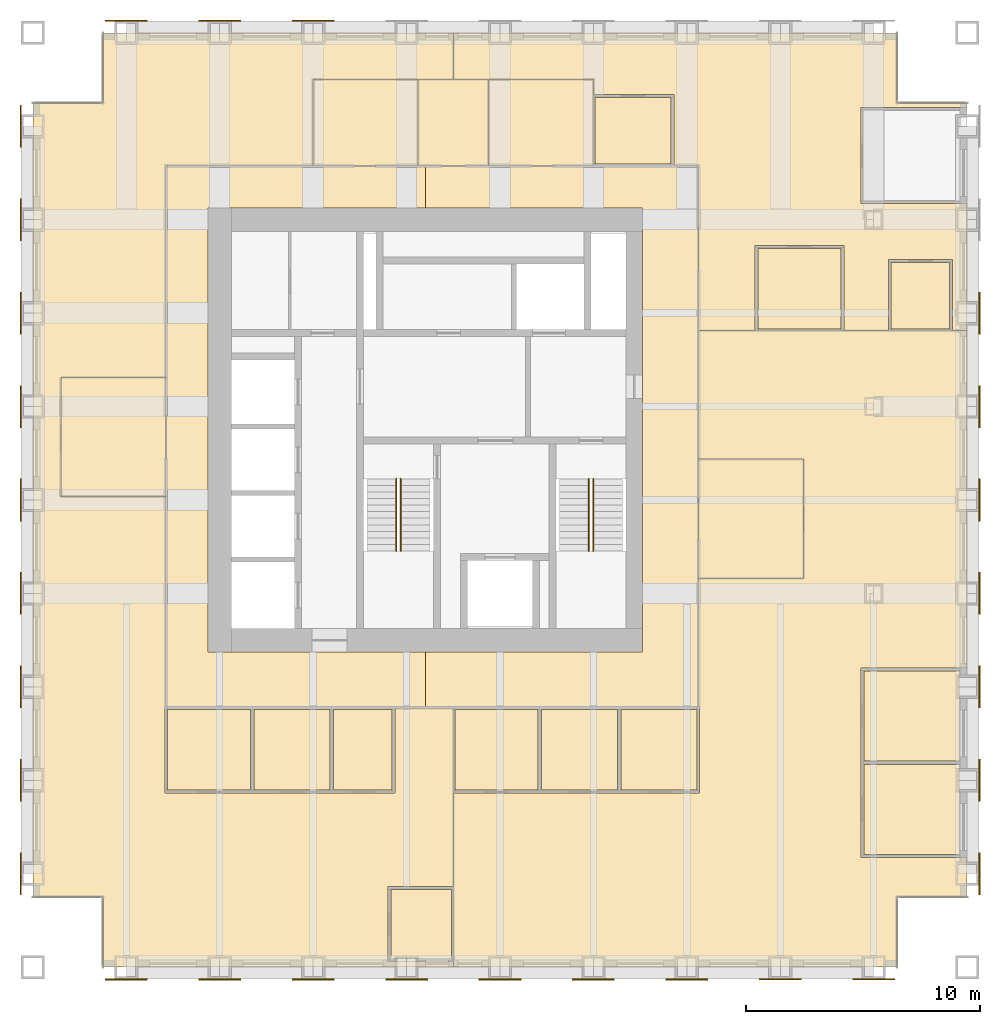
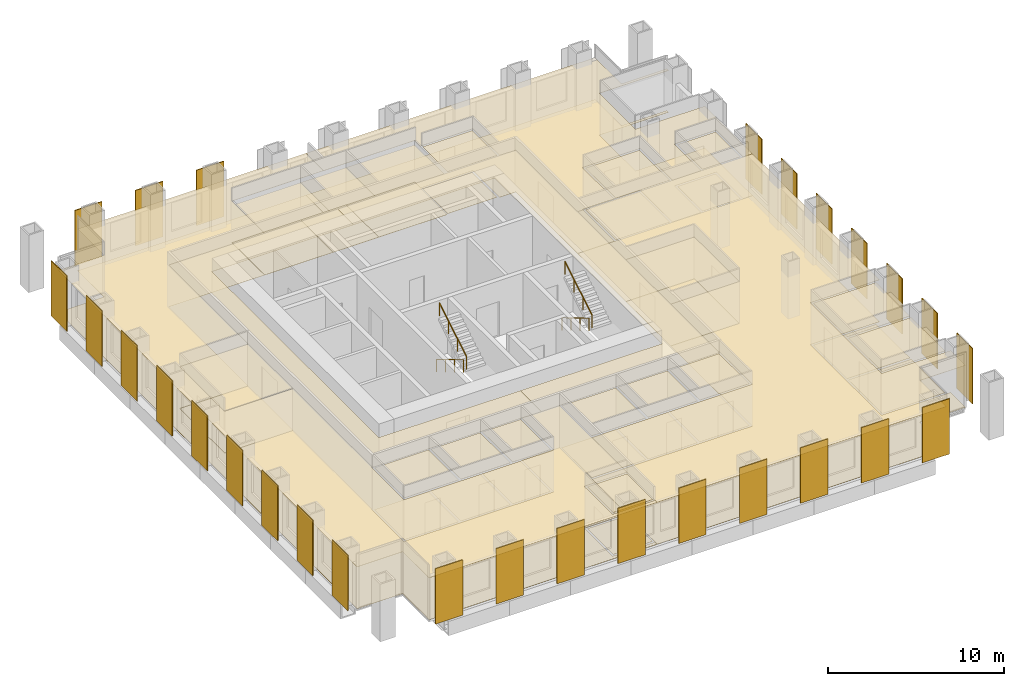
# One storey, part 12 of 13: 42 coverings, 28 shading devices, 4 railings.
"""IFC4 building model written with IfcOpenShell, lengths in metres."""

from ifc_helpers import new_model, si_unit, direction, frame, origin, origin_2d, place, context, subcontext, project, spatial, polyline, rectangle, circle, outline, extrude, material, layer, layer_set, type_object, element, save


model = new_model("IFC4")

# Units and contexts
model_context = context("Model", 3, precision=1e-05, world=origin(), true_north=direction((0.0, 1.0)))
body_context = subcontext(model_context, "Body", "Model", "MODEL_VIEW")
ifc_project = project(units=[si_unit("LENGTHUNIT", "METRE"), si_unit("AREAUNIT", "SQUARE_METRE"), si_unit("VOLUMEUNIT", "CUBIC_METRE"), si_unit("PLANEANGLEUNIT", "RADIAN"), si_unit("MASSUNIT", "GRAM", prefix="KILO")], contexts=[model_context])

# Site, building, storey
site_placement = place(None, origin())
site = spatial("IfcSite", under=ifc_project, at=site_placement, CompositionType="ELEMENT")
building_placement = place(site_placement, origin())
building = spatial("IfcBuilding", under=site, at=building_placement, Name="Rimbunsela Tower", CompositionType="ELEMENT")
storey_placement = place(building_placement, frame((0.0, 0.0, 258.199951171875)))
storey = spatial("IfcBuildingStorey", under=building, at=storey_placement, Name="L62", CompositionType="ELEMENT", Elevation=258.199951171875)

# Coverings
ifc_material_1 = material(Name="Nylon carpet tile", Category="textile")
ifc_layer_1 = layer(ifc_material_1, 0.010009765625)
ifc_layer_set_1 = layer_set([ifc_layer_1], Name="Carpet tile 10")
covering_type_1 = type_object("IfcCoveringType", Name="Carpet tile 10", PredefinedType="FLOORING", material=ifc_layer_set_1)
covering_1_placement = place(storey_placement, origin())
element("IfcCovering", 1, at=covering_1_placement, inside=storey, type_object=covering_type_1, Name="Floor finish Open office", PredefinedType="FLOORING", context=body_context, shape_type="SweptSolid", body=[
    extrude(outline(polyline([(19.449951171875, 11.449951171875), (22.75, 11.449951171875), (22.85009765625, 11.449951171875), (25.5, 11.449951171875), (25.5, 15.10009765625), (27.9990234375, 15.10009765625), (27.9990234375, 7.449951171875), (25.199951171875, 7.449951171875), (25.199951171875, 4.25), (27.9990234375, 4.25), (27.9990234375, 4.0), (15.699951171875, 4.0), (13.0, 4.0), (13.0, 7.0), (10.0, 7.0), (10.0, 41.0), (13.0, 41.0), (13.0, 44.0), (15.699951171875, 44.0), (27.9990234375, 44.0), (27.9990234375, 42.0), (22.0, 42.0), (22.0, 38.300048828125), (15.699951171875, 38.300048828125), (15.699951171875, 29.25), (11.199951171875, 29.25), (11.199951171875, 24.14990234375), (15.699951171875, 24.14990234375), (15.699951171875, 15.14990234375), (15.64990234375, 15.14990234375), (15.64990234375, 11.449951171875), (15.699951171875, 11.449951171875), (19.35009765625, 11.449951171875), (19.449951171875, 11.449951171875)])), origin(), (0.0, 0.0, 1.0), 0.010009765625),
])
covering_2_placement = place(storey_placement, origin())
element("IfcCovering", 2, at=covering_2_placement, inside=storey, type_object=covering_type_1, Name="Floor finish Open office", PredefinedType="FLOORING", context=body_context, shape_type="SweptSolid", body=[
    extrude(outline(polyline([(28.0009765625, 11.449951171875), (31.65087890625, 11.449951171875), (31.7509765625, 11.449951171875), (35.051025390625, 11.449951171875), (35.15087890625, 11.449951171875), (38.5, 11.449951171875), (38.550048828125, 11.449951171875), (38.550048828125, 15.14990234375), (38.5, 15.14990234375), (38.5, 20.64990234375), (43.0, 20.64990234375), (43.0, 25.75), (38.5, 25.75), (38.5, 31.2490234375), (50.0, 31.2490234375), (50.0, 16.800048828125), (45.449951171875, 16.800048828125), (45.449951171875, 12.800048828125), (45.449951171875, 12.699951171875), (45.449951171875, 8.699951171875), (50.0, 8.699951171875), (50.0, 7.0), (47.0, 7.0), (47.0, 4.0), (38.5, 4.0), (28.0009765625, 4.0), (28.0009765625, 11.449951171875)])), origin(), (0.0, 0.0, 1.0), 0.010009765625),
])
covering_3_placement = place(storey_placement, origin())
element("IfcCovering", 3, at=covering_3_placement, inside=storey, type_object=covering_type_1, Name="Floor finish Open office", PredefinedType="FLOORING", context=body_context, shape_type="SweptSolid", body=[
    extrude(outline(polyline([(50.0, 40.800048828125), (45.449951171875, 40.800048828125), (45.449951171875, 36.699951171875), (50.0, 36.699951171875), (50.0, 31.2509765625), (49.375, 31.2509765625), (49.375, 34.300048828125), (46.625, 34.300048828125), (46.625, 31.2509765625), (44.72509765625, 31.2509765625), (44.72509765625, 34.89990234375), (40.925048828125, 34.89990234375), (40.925048828125, 31.2509765625), (38.5, 31.2509765625), (38.5, 38.300048828125), (37.449951171875, 38.300048828125), (37.449951171875, 41.35009765625), (34.0, 41.35009765625), (34.0, 42.0), (28.0009765625, 42.0), (28.0009765625, 44.0), (38.5, 44.0), (47.0, 44.0), (47.0, 41.0), (50.0, 41.0), (50.0, 40.800048828125)])), origin(), (0.0, 0.0, 1.0), 0.010009765625),
])
covering_4_placement = place(storey_placement, origin())
element("IfcCovering", 4, at=covering_4_placement, inside=storey, type_object=covering_type_1, Name="Floor finish Reception", PredefinedType="FLOORING", context=body_context, shape_type="SweptSolid", body=[
    extrude(outline(polyline([(15.699951171875, 24.14990234375), (15.699951171875, 29.25), (11.199951171875, 29.25), (11.199951171875, 24.14990234375), (15.699951171875, 24.14990234375)])), origin(), (0.0, 0.0, 1.0), 0.010009765625),
])
covering_5_placement = place(storey_placement, origin())
element("IfcCovering", 5, at=covering_5_placement, inside=storey, type_object=covering_type_1, Name="Floor finish Reception", PredefinedType="FLOORING", context=body_context, shape_type="SweptSolid", body=[
    extrude(outline(polyline([(43.0, 20.64990234375), (43.0, 25.75), (38.5, 25.75), (38.5, 20.64990234375), (43.0, 20.64990234375)])), origin(), (0.0, 0.0, 1.0), 0.010009765625),
])
covering_6_placement = place(storey_placement, origin())
element("IfcCovering", 6, at=covering_6_placement, inside=storey, type_object=covering_type_1, Name="Floor finish Executive office", PredefinedType="FLOORING", context=body_context, shape_type="SweptSolid", body=[
    extrude(outline(polyline([(49.699951171875, 8.824951171875), (49.699951171875, 12.675048828125), (45.574951171875, 12.675048828125), (45.574951171875, 8.824951171875), (49.699951171875, 8.824951171875)])), origin(), (0.0, 0.0, 1.0), 0.010009765625),
])
covering_7_placement = place(storey_placement, origin())
element("IfcCovering", 7, at=covering_7_placement, inside=storey, type_object=covering_type_1, Name="Floor finish Executive office", PredefinedType="FLOORING", context=body_context, shape_type="SweptSolid", body=[
    extrude(outline(polyline([(49.699951171875, 12.824951171875), (49.699951171875, 16.675048828125), (45.574951171875, 16.675048828125), (45.574951171875, 12.824951171875), (49.699951171875, 12.824951171875)])), origin(), (0.0, 0.0, 1.0), 0.010009765625),
])
covering_8_placement = place(storey_placement, origin())
element("IfcCovering", 8, at=covering_8_placement, inside=storey, type_object=covering_type_1, Name="Floor finish Meeting room", PredefinedType="FLOORING", context=body_context, shape_type="SweptSolid", body=[
    extrude(outline(polyline([(19.324951171875, 11.574951171875), (19.324951171875, 15.02490234375), (15.77490234375, 15.02490234375), (15.77490234375, 11.574951171875), (19.324951171875, 11.574951171875)])), origin(), (0.0, 0.0, 1.0), 0.010009765625),
])
covering_9_placement = place(storey_placement, origin())
element("IfcCovering", 9, at=covering_9_placement, inside=storey, type_object=covering_type_1, Name="Floor finish Pantry", PredefinedType="FLOORING", context=body_context, shape_type="SweptSolid", body=[
    extrude(outline(polyline([(22.72509765625, 11.574951171875), (22.72509765625, 15.02490234375), (19.47509765625, 15.02490234375), (19.47509765625, 11.574951171875), (22.72509765625, 11.574951171875)])), origin(), (0.0, 0.0, 1.0), 0.010009765625),
])
covering_10_placement = place(storey_placement, origin())
element("IfcCovering", 10, at=covering_10_placement, inside=storey, type_object=covering_type_1, Name="Floor finish Print and copy room", PredefinedType="FLOORING", context=body_context, shape_type="SweptSolid", body=[
    extrude(outline(polyline([(25.375, 11.574951171875), (25.375, 15.02490234375), (22.875, 15.02490234375), (22.875, 11.574951171875), (25.375, 11.574951171875)])), origin(), (0.0, 0.0, 1.0), 0.010009765625),
])
covering_11_placement = place(storey_placement, origin())
element("IfcCovering", 11, at=covering_11_placement, inside=storey, type_object=covering_type_1, Name="Floor finish Meeting room", PredefinedType="FLOORING", context=body_context, shape_type="SweptSolid", body=[
    extrude(outline(polyline([(31.6259765625, 11.574951171875), (31.6259765625, 15.02490234375), (28.075927734375, 15.02490234375), (28.075927734375, 11.574951171875), (31.6259765625, 11.574951171875)])), origin(), (0.0, 0.0, 1.0), 0.010009765625),
])
covering_12_placement = place(storey_placement, origin())
element("IfcCovering", 12, at=covering_12_placement, inside=storey, type_object=covering_type_1, Name="Floor finish Pantry", PredefinedType="FLOORING", context=body_context, shape_type="SweptSolid", body=[
    extrude(outline(polyline([(35.02587890625, 11.574951171875), (35.02587890625, 15.02490234375), (31.77587890625, 15.02490234375), (31.77587890625, 11.574951171875), (35.02587890625, 11.574951171875)])), origin(), (0.0, 0.0, 1.0), 0.010009765625),
])
covering_13_placement = place(storey_placement, origin())
element("IfcCovering", 13, at=covering_13_placement, inside=storey, type_object=covering_type_1, Name="Floor finish Print and copy room", PredefinedType="FLOORING", context=body_context, shape_type="SweptSolid", body=[
    extrude(outline(polyline([(38.425048828125, 11.574951171875), (38.425048828125, 15.02490234375), (35.176025390625, 15.02490234375), (35.176025390625, 11.574951171875), (38.425048828125, 11.574951171875)])), origin(), (0.0, 0.0, 1.0), 0.010009765625),
])
covering_14_placement = place(storey_placement, origin())
element("IfcCovering", 14, at=covering_14_placement, inside=storey, type_object=covering_type_1, Name="Floor finish Office", PredefinedType="FLOORING", context=body_context, shape_type="SweptSolid", body=[
    extrude(outline(polyline([(27.925048828125, 4.375), (27.925048828125, 7.324951171875), (25.324951171875, 7.324951171875), (25.324951171875, 4.375), (27.925048828125, 4.375)])), origin(), (0.0, 0.0, 1.0), 0.010009765625),
])
covering_15_placement = place(storey_placement, origin())
element("IfcCovering", 15, at=covering_15_placement, inside=storey, type_object=covering_type_1, Name="Floor finish Meeting room", PredefinedType="FLOORING", context=body_context, shape_type="SweptSolid", body=[
    extrude(outline(polyline([(44.60009765625, 31.324951171875), (44.60009765625, 34.77490234375), (41.050048828125, 34.77490234375), (41.050048828125, 31.324951171875), (44.60009765625, 31.324951171875)])), origin(), (0.0, 0.0, 1.0), 0.010009765625),
])
covering_16_placement = place(storey_placement, origin())
element("IfcCovering", 16, at=covering_16_placement, inside=storey, type_object=covering_type_1, Name="Floor finish Pantry", PredefinedType="FLOORING", context=body_context, shape_type="SweptSolid", body=[
    extrude(outline(polyline([(37.324951171875, 38.375), (37.324951171875, 41.22509765625), (34.074951171875, 41.22509765625), (34.074951171875, 38.375), (37.324951171875, 38.375)])), origin(), (0.0, 0.0, 1.0), 0.010009765625),
])
covering_17_placement = place(storey_placement, origin())
element("IfcCovering", 17, at=covering_17_placement, inside=storey, type_object=covering_type_1, Name="Floor finish Print and copy room", PredefinedType="FLOORING", context=body_context, shape_type="SweptSolid", body=[
    extrude(outline(polyline([(49.25, 31.324951171875), (49.25, 34.175048828125), (46.75, 34.175048828125), (46.75, 31.324951171875), (49.25, 31.324951171875)])), origin(), (0.0, 0.0, 1.0), 0.010009765625),
])
ifc_material_2 = material(Name="Mineral fibre ceiling tile", Category="gypsum")
ifc_layer_2 = layer(ifc_material_2, 0.02001953125)
ifc_layer_set_2 = layer_set([ifc_layer_2], Name="Ceiling 600 grid")
covering_type_2 = type_object("IfcCoveringType", Name="Ceiling 600 grid", PredefinedType="CEILING", material=ifc_layer_set_2)
covering_18_placement = place(storey_placement, frame((0.0, 0.0, 2.900146484375)))
element("IfcCovering", 18, at=covering_18_placement, inside=storey, type_object=covering_type_2, Name="Ceiling Ring corridor", PredefinedType="CEILING", context=body_context, shape_type="SweptSolid", body=[
    extrude(outline(polyline([(15.699951171875, 38.300048828125), (26.800048828125, 38.300048828125), (26.800048828125, 36.5), (17.5, 36.5), (17.5, 17.5), (26.800048828125, 17.5), (26.800048828125, 15.10009765625), (15.699951171875, 15.10009765625), (15.699951171875, 38.300048828125)])), origin(), (0.0, 0.0, 1.0), 0.02001953125),
])
covering_19_placement = place(storey_placement, frame((0.0, 0.0, 2.900146484375)))
element("IfcCovering", 19, at=covering_19_placement, inside=storey, type_object=covering_type_2, Name="Ceiling Ring corridor", PredefinedType="CEILING", context=body_context, shape_type="SweptSolid", body=[
    extrude(outline(polyline([(38.5, 38.300048828125), (38.5, 15.10009765625), (26.800048828125, 15.10009765625), (26.800048828125, 17.5), (36.10009765625, 17.5), (36.10009765625, 36.5), (26.800048828125, 36.5), (26.800048828125, 38.300048828125), (38.5, 38.300048828125)])), origin(), (0.0, 0.0, 1.0), 0.02001953125),
])
covering_20_placement = place(storey_placement, frame((0.0, 0.0, 2.900146484375)))
element("IfcCovering", 20, at=covering_20_placement, inside=storey, type_object=covering_type_2, Name="Ceiling Open office", PredefinedType="CEILING", context=body_context, shape_type="SweptSolid", body=[
    extrude(outline(polyline([(19.449951171875, 11.449951171875), (22.75, 11.449951171875), (22.85009765625, 11.449951171875), (25.5, 11.449951171875), (25.5, 15.10009765625), (27.9990234375, 15.10009765625), (27.9990234375, 7.449951171875), (25.199951171875, 7.449951171875), (25.199951171875, 4.25), (27.9990234375, 4.25), (27.9990234375, 4.0), (15.699951171875, 4.0), (13.0, 4.0), (13.0, 7.0), (10.0, 7.0), (10.0, 41.0), (13.0, 41.0), (13.0, 44.0), (15.699951171875, 44.0), (27.9990234375, 44.0), (27.9990234375, 42.0), (22.0, 42.0), (22.0, 38.300048828125), (15.699951171875, 38.300048828125), (15.699951171875, 29.25), (11.199951171875, 29.25), (11.199951171875, 24.14990234375), (15.699951171875, 24.14990234375), (15.699951171875, 15.14990234375), (15.64990234375, 15.14990234375), (15.64990234375, 11.449951171875), (15.699951171875, 11.449951171875), (19.35009765625, 11.449951171875), (19.449951171875, 11.449951171875)])), origin(), (0.0, 0.0, 1.0), 0.02001953125),
])
covering_21_placement = place(storey_placement, frame((0.0, 0.0, 2.900146484375)))
element("IfcCovering", 21, at=covering_21_placement, inside=storey, type_object=covering_type_2, Name="Ceiling Open office", PredefinedType="CEILING", context=body_context, shape_type="SweptSolid", body=[
    extrude(outline(polyline([(28.0009765625, 11.449951171875), (31.65087890625, 11.449951171875), (31.7509765625, 11.449951171875), (35.051025390625, 11.449951171875), (35.15087890625, 11.449951171875), (38.5, 11.449951171875), (38.550048828125, 11.449951171875), (38.550048828125, 15.14990234375), (38.5, 15.14990234375), (38.5, 20.64990234375), (43.0, 20.64990234375), (43.0, 25.75), (38.5, 25.75), (38.5, 31.2490234375), (50.0, 31.2490234375), (50.0, 16.800048828125), (45.449951171875, 16.800048828125), (45.449951171875, 12.800048828125), (45.449951171875, 12.699951171875), (45.449951171875, 8.699951171875), (50.0, 8.699951171875), (50.0, 7.0), (47.0, 7.0), (47.0, 4.0), (38.5, 4.0), (28.0009765625, 4.0), (28.0009765625, 11.449951171875)])), origin(), (0.0, 0.0, 1.0), 0.02001953125),
])
covering_22_placement = place(storey_placement, frame((0.0, 0.0, 2.900146484375)))
element("IfcCovering", 22, at=covering_22_placement, inside=storey, type_object=covering_type_2, Name="Ceiling Open office", PredefinedType="CEILING", context=body_context, shape_type="SweptSolid", body=[
    extrude(outline(polyline([(50.0, 40.800048828125), (45.449951171875, 40.800048828125), (45.449951171875, 36.699951171875), (50.0, 36.699951171875), (50.0, 31.2509765625), (49.375, 31.2509765625), (49.375, 34.300048828125), (46.625, 34.300048828125), (46.625, 31.2509765625), (44.72509765625, 31.2509765625), (44.72509765625, 34.89990234375), (40.925048828125, 34.89990234375), (40.925048828125, 31.2509765625), (38.5, 31.2509765625), (38.5, 38.300048828125), (37.449951171875, 38.300048828125), (37.449951171875, 41.35009765625), (34.0, 41.35009765625), (34.0, 42.0), (28.0009765625, 42.0), (28.0009765625, 44.0), (38.5, 44.0), (47.0, 44.0), (47.0, 41.0), (50.0, 41.0), (50.0, 40.800048828125)])), origin(), (0.0, 0.0, 1.0), 0.02001953125),
])
covering_23_placement = place(storey_placement, frame((0.0, 0.0, 2.900146484375)))
element("IfcCovering", 23, at=covering_23_placement, inside=storey, type_object=covering_type_2, Name="Ceiling Reception", PredefinedType="CEILING", context=body_context, shape_type="SweptSolid", body=[
    extrude(outline(polyline([(15.699951171875, 24.14990234375), (15.699951171875, 29.25), (11.199951171875, 29.25), (11.199951171875, 24.14990234375), (15.699951171875, 24.14990234375)])), origin(), (0.0, 0.0, 1.0), 0.02001953125),
])
covering_24_placement = place(storey_placement, frame((0.0, 0.0, 2.900146484375)))
element("IfcCovering", 24, at=covering_24_placement, inside=storey, type_object=covering_type_2, Name="Ceiling Reception", PredefinedType="CEILING", context=body_context, shape_type="SweptSolid", body=[
    extrude(outline(polyline([(43.0, 20.64990234375), (43.0, 25.75), (38.5, 25.75), (38.5, 20.64990234375), (43.0, 20.64990234375)])), origin(), (0.0, 0.0, 1.0), 0.02001953125),
])
covering_25_placement = place(storey_placement, frame((0.0, 0.0, 2.900146484375)))
element("IfcCovering", 25, at=covering_25_placement, inside=storey, type_object=covering_type_2, Name="Ceiling Executive office", PredefinedType="CEILING", context=body_context, shape_type="SweptSolid", body=[
    extrude(outline(polyline([(49.699951171875, 8.824951171875), (49.699951171875, 12.675048828125), (45.574951171875, 12.675048828125), (45.574951171875, 8.824951171875), (49.699951171875, 8.824951171875)])), origin(), (0.0, 0.0, 1.0), 0.02001953125),
])
covering_26_placement = place(storey_placement, frame((0.0, 0.0, 2.900146484375)))
element("IfcCovering", 26, at=covering_26_placement, inside=storey, type_object=covering_type_2, Name="Ceiling Executive office", PredefinedType="CEILING", context=body_context, shape_type="SweptSolid", body=[
    extrude(outline(polyline([(49.699951171875, 12.824951171875), (49.699951171875, 16.675048828125), (45.574951171875, 16.675048828125), (45.574951171875, 12.824951171875), (49.699951171875, 12.824951171875)])), origin(), (0.0, 0.0, 1.0), 0.02001953125),
])
covering_27_placement = place(storey_placement, frame((0.0, 0.0, 2.900146484375)))
element("IfcCovering", 27, at=covering_27_placement, inside=storey, type_object=covering_type_2, Name="Ceiling Meeting room", PredefinedType="CEILING", context=body_context, shape_type="SweptSolid", body=[
    extrude(outline(polyline([(19.324951171875, 11.574951171875), (19.324951171875, 15.02490234375), (15.77490234375, 15.02490234375), (15.77490234375, 11.574951171875), (19.324951171875, 11.574951171875)])), origin(), (0.0, 0.0, 1.0), 0.02001953125),
])
covering_28_placement = place(storey_placement, frame((0.0, 0.0, 2.900146484375)))
element("IfcCovering", 28, at=covering_28_placement, inside=storey, type_object=covering_type_2, Name="Ceiling Pantry", PredefinedType="CEILING", context=body_context, shape_type="SweptSolid", body=[
    extrude(outline(polyline([(22.72509765625, 11.574951171875), (22.72509765625, 15.02490234375), (19.47509765625, 15.02490234375), (19.47509765625, 11.574951171875), (22.72509765625, 11.574951171875)])), origin(), (0.0, 0.0, 1.0), 0.02001953125),
])
covering_29_placement = place(storey_placement, frame((0.0, 0.0, 2.900146484375)))
element("IfcCovering", 29, at=covering_29_placement, inside=storey, type_object=covering_type_2, Name="Ceiling Print and copy room", PredefinedType="CEILING", context=body_context, shape_type="SweptSolid", body=[
    extrude(outline(polyline([(25.375, 11.574951171875), (25.375, 15.02490234375), (22.875, 15.02490234375), (22.875, 11.574951171875), (25.375, 11.574951171875)])), origin(), (0.0, 0.0, 1.0), 0.02001953125),
])
covering_30_placement = place(storey_placement, frame((0.0, 0.0, 2.900146484375)))
element("IfcCovering", 30, at=covering_30_placement, inside=storey, type_object=covering_type_2, Name="Ceiling Meeting room", PredefinedType="CEILING", context=body_context, shape_type="SweptSolid", body=[
    extrude(outline(polyline([(31.6259765625, 11.574951171875), (31.6259765625, 15.02490234375), (28.075927734375, 15.02490234375), (28.075927734375, 11.574951171875), (31.6259765625, 11.574951171875)])), origin(), (0.0, 0.0, 1.0), 0.02001953125),
])
covering_31_placement = place(storey_placement, frame((0.0, 0.0, 2.900146484375)))
element("IfcCovering", 31, at=covering_31_placement, inside=storey, type_object=covering_type_2, Name="Ceiling Pantry", PredefinedType="CEILING", context=body_context, shape_type="SweptSolid", body=[
    extrude(outline(polyline([(35.02587890625, 11.574951171875), (35.02587890625, 15.02490234375), (31.77587890625, 15.02490234375), (31.77587890625, 11.574951171875), (35.02587890625, 11.574951171875)])), origin(), (0.0, 0.0, 1.0), 0.02001953125),
])
covering_32_placement = place(storey_placement, frame((0.0, 0.0, 2.900146484375)))
element("IfcCovering", 32, at=covering_32_placement, inside=storey, type_object=covering_type_2, Name="Ceiling Print and copy room", PredefinedType="CEILING", context=body_context, shape_type="SweptSolid", body=[
    extrude(outline(polyline([(38.425048828125, 11.574951171875), (38.425048828125, 15.02490234375), (35.176025390625, 15.02490234375), (35.176025390625, 11.574951171875), (38.425048828125, 11.574951171875)])), origin(), (0.0, 0.0, 1.0), 0.02001953125),
])
covering_33_placement = place(storey_placement, frame((0.0, 0.0, 2.900146484375)))
element("IfcCovering", 33, at=covering_33_placement, inside=storey, type_object=covering_type_2, Name="Ceiling Office", PredefinedType="CEILING", context=body_context, shape_type="SweptSolid", body=[
    extrude(outline(polyline([(27.925048828125, 4.375), (27.925048828125, 7.324951171875), (25.324951171875, 7.324951171875), (25.324951171875, 4.375), (27.925048828125, 4.375)])), origin(), (0.0, 0.0, 1.0), 0.02001953125),
])
covering_34_placement = place(storey_placement, frame((0.0, 0.0, 2.900146484375)))
element("IfcCovering", 34, at=covering_34_placement, inside=storey, type_object=covering_type_2, Name="Ceiling Meeting room", PredefinedType="CEILING", context=body_context, shape_type="SweptSolid", body=[
    extrude(outline(polyline([(44.60009765625, 31.324951171875), (44.60009765625, 34.77490234375), (41.050048828125, 34.77490234375), (41.050048828125, 31.324951171875), (44.60009765625, 31.324951171875)])), origin(), (0.0, 0.0, 1.0), 0.02001953125),
])
covering_35_placement = place(storey_placement, frame((0.0, 0.0, 2.900146484375)))
element("IfcCovering", 35, at=covering_35_placement, inside=storey, type_object=covering_type_2, Name="Ceiling Pantry", PredefinedType="CEILING", context=body_context, shape_type="SweptSolid", body=[
    extrude(outline(polyline([(37.324951171875, 38.375), (37.324951171875, 41.22509765625), (34.074951171875, 41.22509765625), (34.074951171875, 38.375), (37.324951171875, 38.375)])), origin(), (0.0, 0.0, 1.0), 0.02001953125),
])
covering_36_placement = place(storey_placement, frame((0.0, 0.0, 2.900146484375)))
element("IfcCovering", 36, at=covering_36_placement, inside=storey, type_object=covering_type_2, Name="Ceiling Print and copy room", PredefinedType="CEILING", context=body_context, shape_type="SweptSolid", body=[
    extrude(outline(polyline([(49.25, 31.324951171875), (49.25, 34.175048828125), (46.75, 34.175048828125), (46.75, 31.324951171875), (49.25, 31.324951171875)])), origin(), (0.0, 0.0, 1.0), 0.02001953125),
])
ifc_material_3 = material(Name="Moisture-resistant plasterboard ceiling", Category="gypsum")
ifc_layer_3 = layer(ifc_material_3, 0.012451171875)
ifc_layer_set_3 = layer_set([ifc_layer_3], Name="Ceiling moisture-resistant board")
covering_type_3 = type_object("IfcCoveringType", Name="Ceiling moisture-resistant board", PredefinedType="CEILING", material=ifc_layer_set_3)
covering_37_placement = place(storey_placement, frame((0.0, 0.0, 2.60009765625)))
element("IfcCovering", 37, at=covering_37_placement, inside=storey, type_object=covering_type_3, Name="Ceiling Female WC", PredefinedType="CEILING", context=body_context, shape_type="SweptSolid", body=[
    extrude(outline(polyline([(26.5, 38.300048828125), (26.5, 42.0), (22.0, 42.0), (22.0, 38.300048828125), (26.5, 38.300048828125)])), origin(), (0.0, 0.0, 1.0), 0.02001953125),
])
covering_38_placement = place(storey_placement, frame((0.0, 0.0, 2.60009765625)))
element("IfcCovering", 38, at=covering_38_placement, inside=storey, type_object=covering_type_3, Name="Ceiling Accessible WC", PredefinedType="CEILING", context=body_context, shape_type="SweptSolid", body=[
    extrude(outline(polyline([(29.5, 38.300048828125), (29.5, 42.0), (26.5, 42.0), (26.5, 38.300048828125), (29.5, 38.300048828125)])), origin(), (0.0, 0.0, 1.0), 0.02001953125),
])
covering_39_placement = place(storey_placement, frame((0.0, 0.0, 2.60009765625)))
element("IfcCovering", 39, at=covering_39_placement, inside=storey, type_object=covering_type_3, Name="Ceiling Male WC", PredefinedType="CEILING", context=body_context, shape_type="SweptSolid", body=[
    extrude(outline(polyline([(34.0, 38.300048828125), (34.0, 42.0), (29.5, 42.0), (29.5, 38.300048828125), (34.0, 38.300048828125)])), origin(), (0.0, 0.0, 1.0), 0.02001953125),
])
ifc_material_4 = material(Name="Porcelain floor tile in adhesive bed", Category="ceramic")
ifc_layer_4 = layer(ifc_material_4, 0.02001953125)
ifc_layer_set_4 = layer_set([ifc_layer_4], Name="Porcelain tile 20")
covering_type_4 = type_object("IfcCoveringType", Name="Porcelain tile 20", PredefinedType="FLOORING", material=ifc_layer_set_4)
covering_40_placement = place(storey_placement, origin())
element("IfcCovering", 40, at=covering_40_placement, inside=storey, type_object=covering_type_4, Name="Floor finish Female WC", PredefinedType="FLOORING", context=body_context, shape_type="SweptSolid", body=[
    extrude(outline(polyline([(26.5, 38.300048828125), (26.5, 42.0), (22.0, 42.0), (22.0, 38.300048828125), (26.5, 38.300048828125)])), origin(), (0.0, 0.0, 1.0), 0.02001953125),
])
covering_41_placement = place(storey_placement, origin())
element("IfcCovering", 41, at=covering_41_placement, inside=storey, type_object=covering_type_4, Name="Floor finish Accessible WC", PredefinedType="FLOORING", context=body_context, shape_type="SweptSolid", body=[
    extrude(outline(polyline([(29.5, 38.300048828125), (29.5, 42.0), (26.5, 42.0), (26.5, 38.300048828125), (29.5, 38.300048828125)])), origin(), (0.0, 0.0, 1.0), 0.02001953125),
])
covering_42_placement = place(storey_placement, origin())
element("IfcCovering", 42, at=covering_42_placement, inside=storey, type_object=covering_type_4, Name="Floor finish Male WC", PredefinedType="FLOORING", context=body_context, shape_type="SweptSolid", body=[
    extrude(outline(polyline([(34.0, 38.300048828125), (34.0, 42.0), (29.5, 42.0), (29.5, 38.300048828125), (34.0, 38.300048828125)])), origin(), (0.0, 0.0, 1.0), 0.02001953125),
])

# Shading devices
ifc_material_5 = material(Name="Perforated aluminium, 35 % open area", Category="aluminium")
ifc_layer_5 = layer(ifc_material_5, 0.050048828125)
ifc_layer_set_5 = layer_set([ifc_layer_5], Name="Solar screen panel 1800")
shading_device_type = type_object("IfcShadingDeviceType", Name="Solar screen panel 1800", PredefinedType="USERDEFINED", material=ifc_layer_set_5)
for number, where, z_axis, x_axis, name in (
    (43, (14.0, 3.47509765625, 0.0), (0.0, 0.0, 1.0), (1.0, 0.0, 0.0), "Solar screen S L62"),
    (44, (18.0, 3.47509765625, 0.0), (0.0, 0.0, 1.0), (1.0, 0.0, 0.0), "Solar screen S L62"),
    (45, (22.0, 3.47509765625, 0.0), (0.0, 0.0, 1.0), (1.0, 0.0, 0.0), "Solar screen S L62"),
    (46, (26.0, 3.47509765625, 0.0), (0.0, 0.0, 1.0), (1.0, 0.0, 0.0), "Solar screen S L62"),
    (47, (30.0, 3.47509765625, 0.0), (0.0, 0.0, 1.0), (1.0, 0.0, 0.0), "Solar screen S L62"),
    (48, (34.0, 3.47509765625, 0.0), (0.0, 0.0, 1.0), (1.0, 0.0, 0.0), "Solar screen S L62"),
    (49, (38.0, 3.47509765625, 0.0), (0.0, 0.0, 1.0), (1.0, 0.0, 0.0), "Solar screen S L62"),
    (50, (42.0, 3.47509765625, 0.0), (0.0, 0.0, 1.0), (1.0, 0.0, 0.0), "Solar screen S L62"),
    (51, (46.0, 3.47509765625, 0.0), (0.0, 0.0, 1.0), (1.0, 0.0, 0.0), "Solar screen S L62"),
    (52, (50.52490234375, 8.0, 0.0), (0.0, 0.0, 1.0), (0.0, 1.0, 0.0), "Solar screen E L62"),
    (53, (50.52490234375, 12.0, 0.0), (0.0, 0.0, 1.0), (0.0, 1.0, 0.0), "Solar screen E L62"),
    (54, (50.52490234375, 16.0, 0.0), (0.0, 0.0, 1.0), (0.0, 1.0, 0.0), "Solar screen E L62"),
    (55, (50.52490234375, 20.0, 0.0), (0.0, 0.0, 1.0), (0.0, 1.0, 0.0), "Solar screen E L62"),
    (56, (50.52490234375, 24.0, 0.0), (0.0, 0.0, 1.0), (0.0, 1.0, 0.0), "Solar screen E L62"),
    (57, (50.52490234375, 28.0, 0.0), (0.0, 0.0, 1.0), (0.0, 1.0, 0.0), "Solar screen E L62"),
    (58, (50.52490234375, 32.0, 0.0), (0.0, 0.0, 1.0), (0.0, 1.0, 0.0), "Solar screen E L62"),
    (59, (14.0, 44.52490234375, 0.0), (0.0, 0.0, 1.0), (1.0, 0.0, 0.0), "Solar screen N L62"),
    (60, (18.0, 44.52490234375, 0.0), (0.0, 0.0, 1.0), (1.0, 0.0, 0.0), "Solar screen N L62"),
    (61, (22.0, 44.52490234375, 0.0), (0.0, 0.0, 1.0), (1.0, 0.0, 0.0), "Solar screen N L62"),
    (62, (9.47509765625, 8.0, 0.0), (0.0, 0.0, 1.0), (0.0, 1.0, 0.0), "Solar screen W L62"),
    (63, (9.47509765625, 12.0, 0.0), (0.0, 0.0, 1.0), (0.0, 1.0, 0.0), "Solar screen W L62"),
    (64, (9.47509765625, 16.0, 0.0), (0.0, 0.0, 1.0), (0.0, 1.0, 0.0), "Solar screen W L62"),
    (65, (9.47509765625, 20.0, 0.0), (0.0, 0.0, 1.0), (0.0, 1.0, 0.0), "Solar screen W L62"),
    (66, (9.47509765625, 24.0, 0.0), (0.0, 0.0, 1.0), (0.0, 1.0, 0.0), "Solar screen W L62"),
    (67, (9.47509765625, 28.0, 0.0), (0.0, 0.0, 1.0), (0.0, 1.0, 0.0), "Solar screen W L62"),
    (68, (9.47509765625, 32.0, 0.0), (0.0, 0.0, 1.0), (0.0, 1.0, 0.0), "Solar screen W L62"),
    (69, (9.47509765625, 36.0, 0.0), (0.0, 0.0, 1.0), (0.0, 1.0, 0.0), "Solar screen W L62"),
    (70, (9.47509765625, 40.0, 0.0), (0.0, 0.0, 1.0), (0.0, 1.0, 0.0), "Solar screen W L62"),
):
    element("IfcShadingDevice", number, at=place(storey_placement, frame(where, z_axis=z_axis, x_axis=x_axis)), inside=storey, type_object=shading_device_type, Name=name, ObjectType="SCREEN", PredefinedType="USERDEFINED", context=body_context, shape_type="SweptSolid", body=[
        extrude(rectangle(XDim=1.800048828125, YDim=0.050048828125, at=origin_2d()), origin(), (0.0, 0.0, 1.0), 3.85009765625),
    ])

# Railings
ifc_material_6 = material(Name="Stainless steel tube", Category="steel")
railing_type = type_object("IfcRailingType", Name="Stair handrail 900", PredefinedType="HANDRAIL", material=ifc_material_6)
railing_1_placement = place(storey_placement, frame((25.550048828125, 24.89990234375, 0.166748046875)))
element("IfcRailing", 71, at=railing_1_placement, inside=storey, type_object=railing_type, Name="Handrail ST-A flight 1", PredefinedType="HANDRAIL", context=body_context, shape_type="SweptSolid", body=[
    extrude(circle(Radius=0.02392578125, at=origin_2d()), frame((0.0, 0.0, 0.8759765625), z_axis=(0.0, -0.859290745958, 0.51148745235), x_axis=(1.0, 0.0, 0.0)), (0.0, 0.0, 1.0), 3.584228515625),
    extrude(circle(Radius=0.02099609375, at=origin_2d()), origin(), (0.0, 0.0, 1.0), 0.851806640625),
    extrude(circle(Radius=0.02099609375, at=origin_2d()), frame((0.0, -1.026611328125, 0.611083984375)), (0.0, 0.0, 1.0), 0.851806640625),
    extrude(circle(Radius=0.02099609375, at=origin_2d()), frame((0.0, -2.05322265625, 1.22216796875)), (0.0, 0.0, 1.0), 0.851806640625),
    extrude(circle(Radius=0.02099609375, at=origin_2d()), frame((0.0, -3.079833984375, 1.833251953125)), (0.0, 0.0, 1.0), 0.851806640625),
])
railing_2_placement = place(storey_placement, frame((25.75, 21.820068359375, 2.166748046875)))
element("IfcRailing", 72, at=railing_2_placement, inside=storey, type_object=railing_type, Name="Handrail ST-A flight 2", PredefinedType="HANDRAIL", context=body_context, shape_type="SweptSolid", body=[
    extrude(circle(Radius=0.02392578125, at=origin_2d()), frame((0.0, 0.0, 0.8759765625), z_axis=(0.0, 0.859290745958, 0.51148745235), x_axis=(-1.0, 0.0, 0.0)), (0.0, 0.0, 1.0), 3.584228515625),
    extrude(circle(Radius=0.02099609375, at=origin_2d()), origin(), (0.0, 0.0, 1.0), 0.851806640625),
    extrude(circle(Radius=0.02099609375, at=origin_2d()), frame((0.0, 1.026611328125, 0.611083984375)), (0.0, 0.0, 1.0), 0.851806640625),
    extrude(circle(Radius=0.02099609375, at=origin_2d()), frame((0.0, 2.05322265625, 1.22216796875)), (0.0, 0.0, 1.0), 0.851806640625),
    extrude(circle(Radius=0.02099609375, at=origin_2d()), frame((0.0, 3.079833984375, 1.833251953125)), (0.0, 0.0, 1.0), 0.851806640625),
])
railing_3_placement = place(storey_placement, frame((33.800048828125, 24.89990234375, 0.166748046875)))
element("IfcRailing", 73, at=railing_3_placement, inside=storey, type_object=railing_type, Name="Handrail ST-B flight 1", PredefinedType="HANDRAIL", context=body_context, shape_type="SweptSolid", body=[
    extrude(circle(Radius=0.02392578125, at=origin_2d()), frame((0.0, 0.0, 0.8759765625), z_axis=(0.0, -0.859290745958, 0.51148745235), x_axis=(1.0, 0.0, 0.0)), (0.0, 0.0, 1.0), 3.584228515625),
    extrude(circle(Radius=0.02099609375, at=origin_2d()), origin(), (0.0, 0.0, 1.0), 0.851806640625),
    extrude(circle(Radius=0.02099609375, at=origin_2d()), frame((0.0, -1.026611328125, 0.611083984375)), (0.0, 0.0, 1.0), 0.851806640625),
    extrude(circle(Radius=0.02099609375, at=origin_2d()), frame((0.0, -2.05322265625, 1.22216796875)), (0.0, 0.0, 1.0), 0.851806640625),
    extrude(circle(Radius=0.02099609375, at=origin_2d()), frame((0.0, -3.079833984375, 1.833251953125)), (0.0, 0.0, 1.0), 0.851806640625),
])
railing_4_placement = place(storey_placement, frame((34.0, 21.820068359375, 2.166748046875)))
element("IfcRailing", 74, at=railing_4_placement, inside=storey, type_object=railing_type, Name="Handrail ST-B flight 2", PredefinedType="HANDRAIL", context=body_context, shape_type="SweptSolid", body=[
    extrude(circle(Radius=0.02392578125, at=origin_2d()), frame((0.0, 0.0, 0.8759765625), z_axis=(0.0, 0.859290745958, 0.51148745235), x_axis=(-1.0, 0.0, 0.0)), (0.0, 0.0, 1.0), 3.584228515625),
    extrude(circle(Radius=0.02099609375, at=origin_2d()), origin(), (0.0, 0.0, 1.0), 0.851806640625),
    extrude(circle(Radius=0.02099609375, at=origin_2d()), frame((0.0, 1.026611328125, 0.611083984375)), (0.0, 0.0, 1.0), 0.851806640625),
    extrude(circle(Radius=0.02099609375, at=origin_2d()), frame((0.0, 2.05322265625, 1.22216796875)), (0.0, 0.0, 1.0), 0.851806640625),
    extrude(circle(Radius=0.02099609375, at=origin_2d()), frame((0.0, 3.079833984375, 1.833251953125)), (0.0, 0.0, 1.0), 0.851806640625),
])

save(model, "model.ifc")
